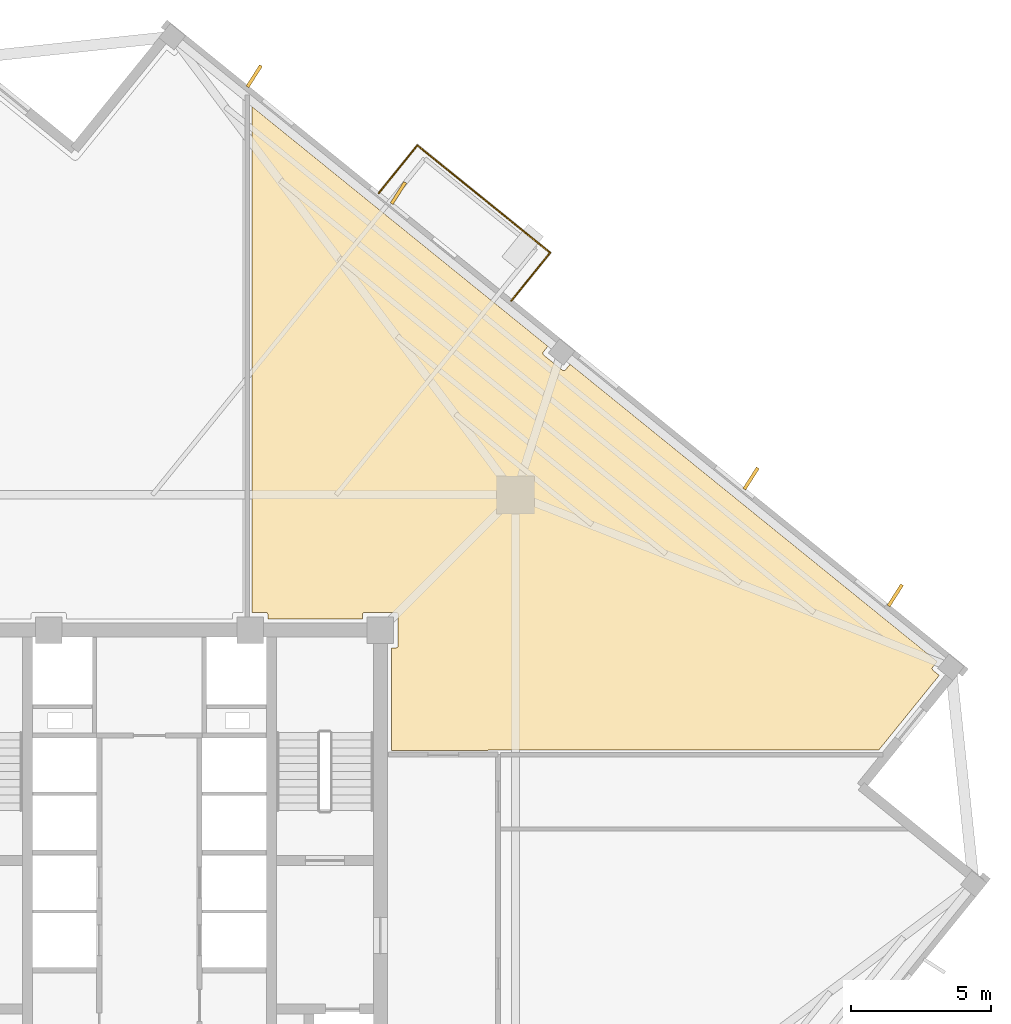
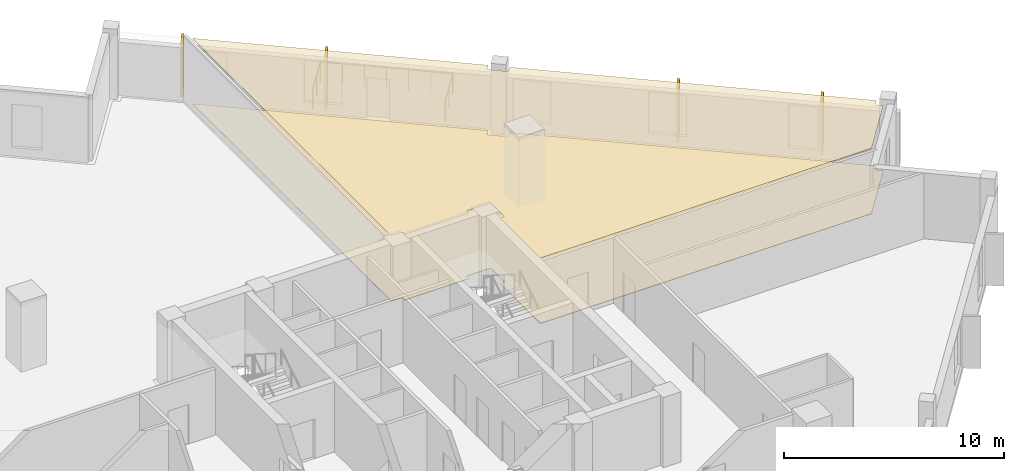
# One storey, part 10 of 10: 6 coverings, 3 railings.
"""IFC4 building model written with IfcOpenShell, lengths in metres."""

from ifc_helpers import new_model, si_unit, direction, frame, origin, origin_2d, place, context, subcontext, project, spatial, polyline, rectangle, circle, outline, extrude, source, transform, mapped, material, layer, layer_set, type_object, element, save


model = new_model("IFC4")

# Units and contexts
model_context = context("Model", 3, precision=1e-05, world=origin(), true_north=direction((0.0, 1.0)))
body_context = subcontext(model_context, "Body", "Model", "MODEL_VIEW")
ifc_project = project(units=[si_unit("LENGTHUNIT", "METRE"), si_unit("AREAUNIT", "SQUARE_METRE"), si_unit("VOLUMEUNIT", "CUBIC_METRE"), si_unit("PLANEANGLEUNIT", "RADIAN"), si_unit("MASSUNIT", "GRAM", prefix="KILO"), si_unit("THERMODYNAMICTEMPERATUREUNIT", "KELVIN")], contexts=[model_context])

# Site, building, storey
site_placement = place(None, origin())
site = spatial("IfcSite", under=ifc_project, at=site_placement, CompositionType="ELEMENT")
building_placement = place(site_placement, origin())
building = spatial("IfcBuilding", under=site, at=building_placement, Name="Kosmvard Interchange Tower", CompositionType="ELEMENT")
storey_placement = place(building_placement, frame((0.0, 0.0, 229.0)))
storey = spatial("IfcBuildingStorey", under=building, at=storey_placement, Name="L55", CompositionType="ELEMENT", Elevation=229.0)

# Coverings
ifc_material_1 = material(Name="Acoustic gypsum ceiling tile")
ifc_layer_1 = layer(ifc_material_1, 0.02490234375, Name="Acoustic gypsum ceiling tile")
ifc_layer_set_1 = layer_set([ifc_layer_1], Name="Acoustic gypsum ceiling tile")
covering_type_1 = type_object("IfcCoveringType", Name="Acoustic Perforated Suspended Ceiling 25", PredefinedType="CEILING", material=ifc_layer_set_1)
covering_1_placement = place(storey_placement, frame((0.0, 0.0, 3.635009765625)))
element("IfcCovering", 1, at=covering_1_placement, inside=storey, type_object=covering_type_1, Name="L55 Acoustic Ceiling L55-AUD1", PredefinedType="CEILING", context=body_context, shape_type="SweptSolid", body=[
    extrude(outline(polyline([(12.061279296875, 3.955078125), (12.06591796875, 3.9560546875), (12.07373046875, 3.957763671875), (12.080810546875, 3.958740234375), (12.088623046875, 3.95947265625), (12.09619140625, 3.9599609375), (12.10009765625, 3.9599609375), (26.05322265625, 3.9599609375), (28.218994140625, 6.634765625), (27.99755859375, 6.81396484375), (27.99169921875, 6.8193359375), (27.986572265625, 6.8251953125), (27.981689453125, 6.831298828125), (27.9775390625, 6.838134765625), (27.974365234375, 6.84521484375), (27.9716796875, 6.8525390625), (27.969482421875, 6.860107421875), (27.968505859375, 6.867919921875), (27.968017578125, 6.875732421875), (27.96826171875, 6.883544921875), (27.969482421875, 6.891357421875), (27.97119140625, 6.89892578125), (27.973876953125, 6.90625), (27.97705078125, 6.91357421875), (27.981201171875, 6.920166015625), (27.98583984375, 6.926513671875), (28.1494140625, 7.128662109375), (15.03125, 17.75146484375), (14.86767578125, 17.549560546875), (14.8623046875, 17.543701171875), (14.8564453125, 17.538330078125), (14.850341796875, 17.53369140625), (14.843505859375, 17.529541015625), (14.83642578125, 17.526123046875), (14.8291015625, 17.5234375), (14.821533203125, 17.521484375), (14.813720703125, 17.520263671875), (14.805908203125, 17.519775390625), (14.798095703125, 17.520263671875), (14.790283203125, 17.521240234375), (14.78271484375, 17.523193359375), (14.775146484375, 17.525634765625), (14.76806640625, 17.529052734375), (14.761474609375, 17.532958984375), (14.755126953125, 17.53759765625), (14.086669921875, 18.078857421875), (14.080810546875, 18.084228515625), (14.075439453125, 18.08984375), (14.07080078125, 18.09619140625), (14.066650390625, 18.10302734375), (14.063232421875, 18.10986328125), (14.060546875, 18.117431640625), (14.05859375, 18.125), (14.057373046875, 18.1328125), (14.05712890625, 18.140625), (14.057373046875, 18.1484375), (14.05859375, 18.15625), (14.060302734375, 18.163818359375), (14.06298828125, 18.171142578125), (14.066162109375, 18.17822265625), (14.0703125, 18.18505859375), (14.074951171875, 18.19140625), (14.238525390625, 18.3935546875), (3.659912109375, 26.959716796875), (3.659912109375, 8.885009765625), (4.155029296875, 8.885009765625), (4.162841796875, 8.884521484375), (4.170654296875, 8.883544921875), (4.17822265625, 8.881591796875), (4.185546875, 8.87890625), (4.192626953125, 8.87548828125), (4.199462890625, 8.87158203125), (4.205810546875, 8.866943359375), (4.211669921875, 8.861572265625), (4.216796875, 8.855712890625), (4.221435546875, 8.849365234375), (4.2255859375, 8.8427734375), (4.22900390625, 8.835693359375), (4.2314453125, 8.828125), (4.2333984375, 8.820556640625), (4.234619140625, 8.812744140625), (4.235107421875, 8.804931640625), (4.235107421875, 8.655029296875), (7.614990234375, 8.655029296875), (7.614990234375, 8.804931640625), (7.615478515625, 8.812744140625), (7.616455078125, 8.820556640625), (7.618408203125, 8.828125), (7.62109375, 8.835693359375), (7.62451171875, 8.8427734375), (7.62841796875, 8.849365234375), (7.633056640625, 8.855712890625), (7.638427734375, 8.861572265625), (7.644287109375, 8.866943359375), (7.650634765625, 8.87158203125), (7.6572265625, 8.87548828125), (7.664306640625, 8.87890625), (7.671875, 8.881591796875), (7.679443359375, 8.883544921875), (7.687255859375, 8.884521484375), (7.695068359375, 8.885009765625), (8.804931640625, 8.885009765625), (8.812744140625, 8.884521484375), (8.820556640625, 8.883544921875), (8.828125, 8.881591796875), (8.835693359375, 8.87890625), (8.8427734375, 8.87548828125), (8.849365234375, 8.87158203125), (8.855712890625, 8.866943359375), (8.861572265625, 8.861572265625), (8.866943359375, 8.855712890625), (8.87158203125, 8.849365234375), (8.87548828125, 8.8427734375), (8.87890625, 8.835693359375), (8.881591796875, 8.828125), (8.883544921875, 8.820556640625), (8.884521484375, 8.812744140625), (8.885009765625, 8.804931640625), (8.885009765625, 7.695068359375), (8.884521484375, 7.687255859375), (8.883544921875, 7.679443359375), (8.881591796875, 7.671875), (8.87890625, 7.664306640625), (8.87548828125, 7.6572265625), (8.87158203125, 7.650634765625), (8.866943359375, 7.644287109375), (8.861572265625, 7.638427734375), (8.855712890625, 7.633056640625), (8.849365234375, 7.62841796875), (8.8427734375, 7.62451171875), (8.835693359375, 7.62109375), (8.828125, 7.618408203125), (8.820556640625, 7.616455078125), (8.812744140625, 7.615478515625), (8.804931640625, 7.614990234375), (8.655029296875, 7.614990234375), (8.655029296875, 3.955078125), (12.061279296875, 3.955078125)])), origin(), (0.0, 0.0, 1.0), 0.02490234375),
])
ifc_material_2 = material(Name="Polished terrazzo flooring")
ifc_layer_2 = layer(ifc_material_2, 0.030029296875, Name="Polished terrazzo flooring")
ifc_layer_set_2 = layer_set([ifc_layer_2], Name="Polished terrazzo flooring")
covering_type_2 = type_object("IfcCoveringType", Name="Heavy-Duty Terrazzo & Porcelain Flooring 30", PredefinedType="FLOORING", material=ifc_layer_set_2)
covering_2_placement = place(storey_placement, origin())
element("IfcCovering", 2, at=covering_2_placement, inside=storey, type_object=covering_type_2, Name="L55 Floor Finish L55-AUD1", PredefinedType="FLOORING", context=body_context, shape_type="SweptSolid", body=[
    extrude(outline(polyline([(12.061279296875, 3.955078125), (12.06591796875, 3.9560546875), (12.07373046875, 3.957763671875), (12.080810546875, 3.958740234375), (12.088623046875, 3.95947265625), (12.09619140625, 3.9599609375), (12.10009765625, 3.9599609375), (26.05322265625, 3.9599609375), (28.218994140625, 6.634765625), (27.99755859375, 6.81396484375), (27.99169921875, 6.8193359375), (27.986572265625, 6.8251953125), (27.981689453125, 6.831298828125), (27.9775390625, 6.838134765625), (27.974365234375, 6.84521484375), (27.9716796875, 6.8525390625), (27.969482421875, 6.860107421875), (27.968505859375, 6.867919921875), (27.968017578125, 6.875732421875), (27.96826171875, 6.883544921875), (27.969482421875, 6.891357421875), (27.97119140625, 6.89892578125), (27.973876953125, 6.90625), (27.97705078125, 6.91357421875), (27.981201171875, 6.920166015625), (27.98583984375, 6.926513671875), (28.1494140625, 7.128662109375), (15.03125, 17.75146484375), (14.86767578125, 17.549560546875), (14.8623046875, 17.543701171875), (14.8564453125, 17.538330078125), (14.850341796875, 17.53369140625), (14.843505859375, 17.529541015625), (14.83642578125, 17.526123046875), (14.8291015625, 17.5234375), (14.821533203125, 17.521484375), (14.813720703125, 17.520263671875), (14.805908203125, 17.519775390625), (14.798095703125, 17.520263671875), (14.790283203125, 17.521240234375), (14.78271484375, 17.523193359375), (14.775146484375, 17.525634765625), (14.76806640625, 17.529052734375), (14.761474609375, 17.532958984375), (14.755126953125, 17.53759765625), (14.086669921875, 18.078857421875), (14.080810546875, 18.084228515625), (14.075439453125, 18.08984375), (14.07080078125, 18.09619140625), (14.066650390625, 18.10302734375), (14.063232421875, 18.10986328125), (14.060546875, 18.117431640625), (14.05859375, 18.125), (14.057373046875, 18.1328125), (14.05712890625, 18.140625), (14.057373046875, 18.1484375), (14.05859375, 18.15625), (14.060302734375, 18.163818359375), (14.06298828125, 18.171142578125), (14.066162109375, 18.17822265625), (14.0703125, 18.18505859375), (14.074951171875, 18.19140625), (14.238525390625, 18.3935546875), (3.659912109375, 26.959716796875), (3.659912109375, 8.885009765625), (4.155029296875, 8.885009765625), (4.162841796875, 8.884521484375), (4.170654296875, 8.883544921875), (4.17822265625, 8.881591796875), (4.185546875, 8.87890625), (4.192626953125, 8.87548828125), (4.199462890625, 8.87158203125), (4.205810546875, 8.866943359375), (4.211669921875, 8.861572265625), (4.216796875, 8.855712890625), (4.221435546875, 8.849365234375), (4.2255859375, 8.8427734375), (4.22900390625, 8.835693359375), (4.2314453125, 8.828125), (4.2333984375, 8.820556640625), (4.234619140625, 8.812744140625), (4.235107421875, 8.804931640625), (4.235107421875, 8.655029296875), (7.614990234375, 8.655029296875), (7.614990234375, 8.804931640625), (7.615478515625, 8.812744140625), (7.616455078125, 8.820556640625), (7.618408203125, 8.828125), (7.62109375, 8.835693359375), (7.62451171875, 8.8427734375), (7.62841796875, 8.849365234375), (7.633056640625, 8.855712890625), (7.638427734375, 8.861572265625), (7.644287109375, 8.866943359375), (7.650634765625, 8.87158203125), (7.6572265625, 8.87548828125), (7.664306640625, 8.87890625), (7.671875, 8.881591796875), (7.679443359375, 8.883544921875), (7.687255859375, 8.884521484375), (7.695068359375, 8.885009765625), (8.804931640625, 8.885009765625), (8.812744140625, 8.884521484375), (8.820556640625, 8.883544921875), (8.828125, 8.881591796875), (8.835693359375, 8.87890625), (8.8427734375, 8.87548828125), (8.849365234375, 8.87158203125), (8.855712890625, 8.866943359375), (8.861572265625, 8.861572265625), (8.866943359375, 8.855712890625), (8.87158203125, 8.849365234375), (8.87548828125, 8.8427734375), (8.87890625, 8.835693359375), (8.881591796875, 8.828125), (8.883544921875, 8.820556640625), (8.884521484375, 8.812744140625), (8.885009765625, 8.804931640625), (8.885009765625, 7.695068359375), (8.884521484375, 7.687255859375), (8.883544921875, 7.679443359375), (8.881591796875, 7.671875), (8.87890625, 7.664306640625), (8.87548828125, 7.6572265625), (8.87158203125, 7.650634765625), (8.866943359375, 7.644287109375), (8.861572265625, 7.638427734375), (8.855712890625, 7.633056640625), (8.849365234375, 7.62841796875), (8.8427734375, 7.62451171875), (8.835693359375, 7.62109375), (8.828125, 7.618408203125), (8.820556640625, 7.616455078125), (8.812744140625, 7.615478515625), (8.804931640625, 7.614990234375), (8.655029296875, 7.614990234375), (8.655029296875, 3.955078125), (12.061279296875, 3.955078125)])), origin(), (0.0, 0.0, 1.0), 0.030029296875),
])
ifc_material_3 = material(Name="Architectural anodised aluminium", Category="aluminium")
ifc_layer_3 = layer(ifc_material_3, 0.1201171875, Name="Architectural anodised aluminium")
ifc_layer_set_3 = layer_set([ifc_layer_3], Name="Architectural anodised aluminium")
covering_type_3 = type_object("IfcCoveringType", Name="Rotating Vertical Sun-Breaker Fin 900x120 Aluminium", PredefinedType="CLADDING", material=ifc_layer_set_3)
shared_shape_1 = source(origin(), body_context, "Body", "SweptSolid", [
    extrude(rectangle(XDim=0.89990234375, YDim=0.1201171875, at=origin_2d()), origin(), (0.0, 0.0, 1.0), 2.8798828125),
])
for number, where, z_axis, x_axis, name in (
    (3, (26.650146484375, 9.494384765625, 0.0400390625), (0.0, 0.0, 1.0), (0.536710679153, 0.843766346142, 0.0), "L55 Rotating Vertical Sun-Breaker Fin 05"),
    (4, (21.49658203125, 13.66748046875, 0.0400390625), (0.0, 0.0, 1.0), (0.536710679153, 0.843766346142, 0.0), "L55 Rotating Vertical Sun-Breaker Fin 06"),
    (5, (8.8994140625, 23.86865234375, 0.0400390625), (0.0, 0.0, 1.0), (0.536710679153, 0.843766346142, 0.0), "L55 Rotating Vertical Sun-Breaker Fin 07"),
    (6, (3.74609375, 28.041748046875, 0.0400390625), (0.0, 0.0, 1.0), (0.536710679153, 0.843766346142, 0.0), "L55 Rotating Vertical Sun-Breaker Fin 08"),
):
    element("IfcCovering", number, at=place(storey_placement, frame(where, z_axis=z_axis, x_axis=x_axis)), inside=storey, type_object=covering_type_3, Name=name, PredefinedType="CLADDING", context=body_context, shape_type="MappedRepresentation", body=[
        mapped(shared_shape_1, transform((0.0, 0.0, 0.0), scale=1.0)),
    ])

# Railings
ifc_material_4 = material(Name="Steel S355", Category="steel")
railing_type = type_object("IfcRailingType", Name="Observation & Balcony Glass-Infill Balustrade 1150", PredefinedType="BALUSTRADE", material=ifc_material_4)
shared_shape_2 = source(origin(), body_context, "Body", "SweptSolid", [
    extrude(circle(Radius=0.02392578125, at=origin_2d()), frame((0.0, 0.0, 1.1259765625), z_axis=(0.629325914736, 0.777141488432, 0.0), x_axis=(-0.777141488432, 0.629325914736, 0.0)), (0.0, 0.0, 1.0), 2.199951171875),
    extrude(circle(Radius=0.02099609375, at=origin_2d()), origin(), (0.0, 0.0, 1.0), 1.101806640625),
    extrude(circle(Radius=0.02099609375, at=origin_2d()), frame((0.6923828125, 0.85498046875, 0.0)), (0.0, 0.0, 1.0), 1.101806640625),
    extrude(circle(Radius=0.02099609375, at=origin_2d()), frame((1.384521484375, 1.709716796875, 0.0)), (0.0, 0.0, 1.0), 1.101806640625),
])
railing_1_placement = place(storey_placement, frame((12.93310546875, 20.023193359375, 0.0)))
element("IfcRailing", 7, at=railing_1_placement, inside=storey, type_object=railing_type, Name="L55 Outdoor Terrace Guard BAL-L55-E-A", PredefinedType="BALUSTRADE", context=body_context, shape_type="MappedRepresentation", body=[
    mapped(shared_shape_2, transform((0.0, 0.0, 0.0), scale=1.0)),
])
shared_shape_3 = source(origin(), body_context, "Body", "SweptSolid", [
    extrude(circle(Radius=0.02392578125, at=origin_2d()), frame((0.0, 0.0, 1.1259765625), z_axis=(-0.777137673017, 0.629330626282, 0.0), x_axis=(-0.629330626282, -0.777137673017, 0.0)), (0.0, 0.0, 1.0), 6.099853515625),
    extrude(circle(Radius=0.02099609375, at=origin_2d()), origin(), (0.0, 0.0, 1.0), 1.101806640625),
    extrude(circle(Radius=0.02099609375, at=origin_2d()), frame((-0.7900390625, 0.639892578125, 0.0)), (0.0, 0.0, 1.0), 1.101806640625),
    extrude(circle(Radius=0.02099609375, at=origin_2d()), frame((-1.580078125, 1.279541015625, 0.0)), (0.0, 0.0, 1.0), 1.101806640625),
    extrude(circle(Radius=0.02099609375, at=origin_2d()), frame((-2.3701171875, 1.91943359375, 0.0)), (0.0, 0.0, 1.0), 1.101806640625),
    extrude(circle(Radius=0.02099609375, at=origin_2d()), frame((-3.160400390625, 2.559326171875, 0.0)), (0.0, 0.0, 1.0), 1.101806640625),
    extrude(circle(Radius=0.02099609375, at=origin_2d()), frame((-3.950439453125, 3.198974609375, 0.0)), (0.0, 0.0, 1.0), 1.101806640625),
    extrude(circle(Radius=0.02099609375, at=origin_2d()), frame((-4.740478515625, 3.8388671875, 0.0)), (0.0, 0.0, 1.0), 1.101806640625),
])
railing_2_placement = place(storey_placement, frame((14.317626953125, 21.73291015625, 0.0)))
element("IfcRailing", 8, at=railing_2_placement, inside=storey, type_object=railing_type, Name="L55 Outdoor Terrace Guard BAL-L55-E-B", PredefinedType="BALUSTRADE", context=body_context, shape_type="MappedRepresentation", body=[
    mapped(shared_shape_3, transform((0.0, 0.0, 0.0), scale=1.0)),
])
shared_shape_4 = source(origin(), body_context, "Body", "SweptSolid", [
    extrude(circle(Radius=0.02392578125, at=origin_2d()), frame((0.0, 0.0, 1.1259765625), z_axis=(-0.629325914736, -0.777141488432, 0.0), x_axis=(0.777141488432, -0.629325914736, 0.0)), (0.0, 0.0, 1.0), 2.199951171875),
    extrude(circle(Radius=0.02099609375, at=origin_2d()), origin(), (0.0, 0.0, 1.0), 1.101806640625),
    extrude(circle(Radius=0.02099609375, at=origin_2d()), frame((-0.6923828125, -0.85498046875, 0.0)), (0.0, 0.0, 1.0), 1.101806640625),
    extrude(circle(Radius=0.02099609375, at=origin_2d()), frame((-1.384521484375, -1.709716796875, 0.0)), (0.0, 0.0, 1.0), 1.101806640625),
])
railing_3_placement = place(storey_placement, frame((9.5771484375, 25.57177734375, 0.0)))
element("IfcRailing", 9, at=railing_3_placement, inside=storey, type_object=railing_type, Name="L55 Outdoor Terrace Guard BAL-L55-E-C", PredefinedType="BALUSTRADE", context=body_context, shape_type="MappedRepresentation", body=[
    mapped(shared_shape_4, transform((0.0, 0.0, 0.0), scale=1.0)),
])

save(model, "model.ifc")
